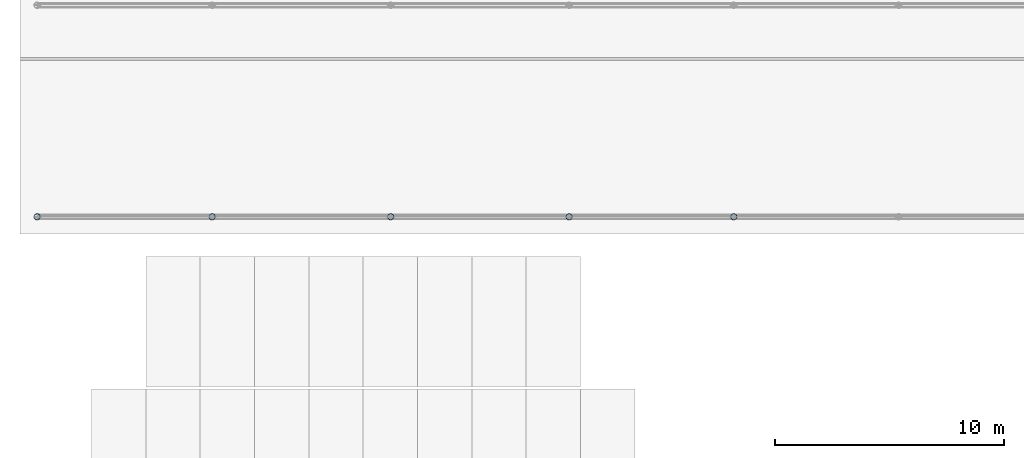
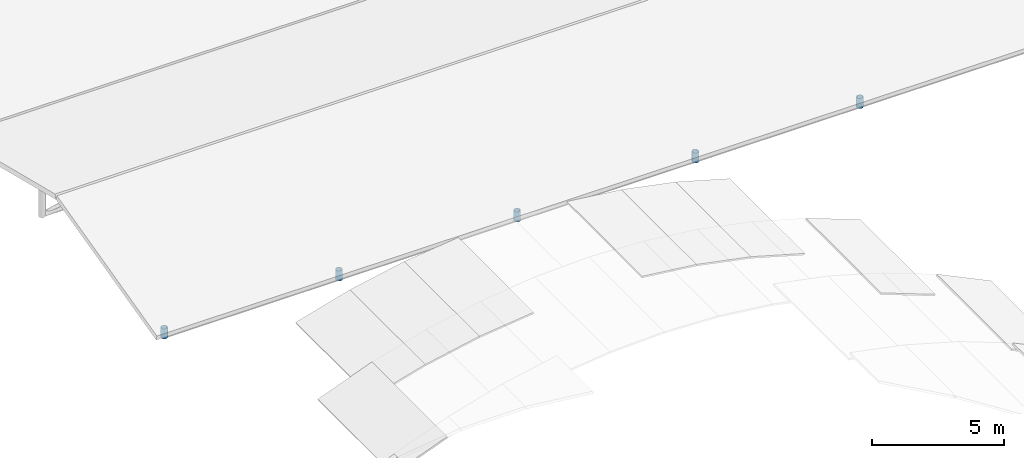
# One storey, part 13 of 91: 5 columns.
"""IFC4 building model written with IfcOpenShell, lengths in metres."""

from ifc_helpers import new_model, si_unit, direction, frame, origin, origin_2d, place, context, subcontext, project, spatial, hollow_circle, extrude, material, material_profile, profile_set, type_object, element, save


model = new_model("IFC4")

# Units and contexts
model_context = context("Model", 3, precision=1e-05, world=origin(), true_north=direction((0.0, 1.0)))
body_context = subcontext(model_context, "Body", "Model", "MODEL_VIEW")
ifc_project = project(units=[si_unit("LENGTHUNIT", "METRE"), si_unit("AREAUNIT", "SQUARE_METRE"), si_unit("VOLUMEUNIT", "CUBIC_METRE"), si_unit("PLANEANGLEUNIT", "RADIAN"), si_unit("MASSUNIT", "GRAM", prefix="KILO")], contexts=[model_context])

# Site, building, storey
site_placement = place(None, origin())
site = spatial("IfcSite", under=ifc_project, at=site_placement, CompositionType="ELEMENT")
building_placement = place(site_placement, origin())
building = spatial("IfcBuilding", under=site, at=building_placement, Name="Valcora Specialist Clinic", CompositionType="ELEMENT")
storey_placement = place(building_placement, frame((0.0, 0.0, 13.60009765625)))
storey = spatial("IfcBuildingStorey", under=building, at=storey_placement, Name="L03", CompositionType="ELEMENT", Elevation=13.60009765625)

# Columns
ifc_material = material(Name="Steel ASTM A500 Grade C", Category="steel")
ifc_material_profile = material_profile(ifc_material, hollow_circle(Radius=0.136474609375, WallThickness=0.011962890625, at=origin_2d()), Name="ST-CHS-273X12")
ifc_profile_set = profile_set([ifc_material_profile], Name="Steel ASTM A500 Grade C")
column_type = type_object("IfcColumnType", Name="TY-COL-CHS273", PredefinedType="COLUMN", material=ifc_profile_set)
for number, where, z_axis, x_axis, name in (
    (1, (0.75, 80.949951171875, 0.0), (0.0, 0.0, 1.0), (1.0, 0.0, 0.0), "Folded roof stub post 0.75-80.95"),
    (2, (8.39990234375, 80.949951171875, 0.0), (0.0, 0.0, 1.0), (1.0, 0.0, 0.0), "Folded roof stub post 8.4-80.95"),
    (3, (16.199951171875, 80.949951171875, 0.0), (0.0, 0.0, 1.0), (1.0, 0.0, 0.0), "Folded roof stub post 16.2-80.95"),
    (4, (24.0, 80.949951171875, 0.0), (0.0, 0.0, 1.0), (1.0, 0.0, 0.0), "Folded roof stub post 24.0-80.95"),
    (5, (31.199951171875, 80.949951171875, 0.0), (0.0, 0.0, 1.0), (1.0, 0.0, 0.0), "Folded roof stub post 31.2-80.95"),
):
    element("IfcColumn", number, at=place(storey_placement, frame(where, z_axis=z_axis, x_axis=x_axis)), inside=storey, type_object=column_type, Name=name, PredefinedType="COLUMN", context=body_context, shape_type="SweptSolid", body=[
        extrude(hollow_circle(Radius=0.136474609375, WallThickness=0.011962890625, at=origin_2d()), origin(), (0.0, 0.0, 1.0), 0.4619140625),
    ])

save(model, "model.ifc")
